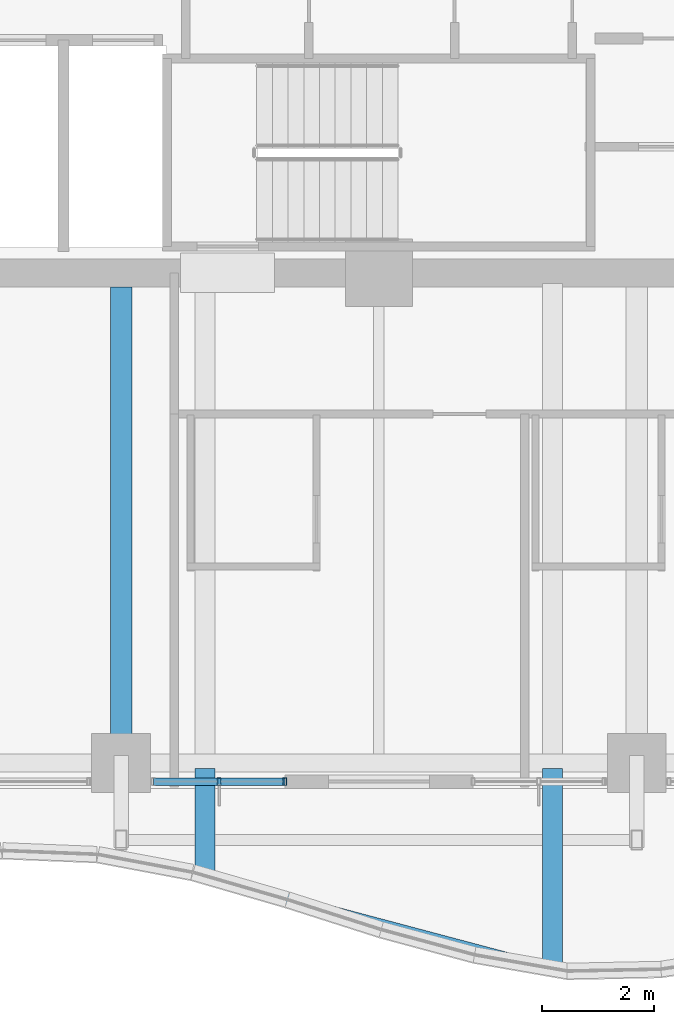
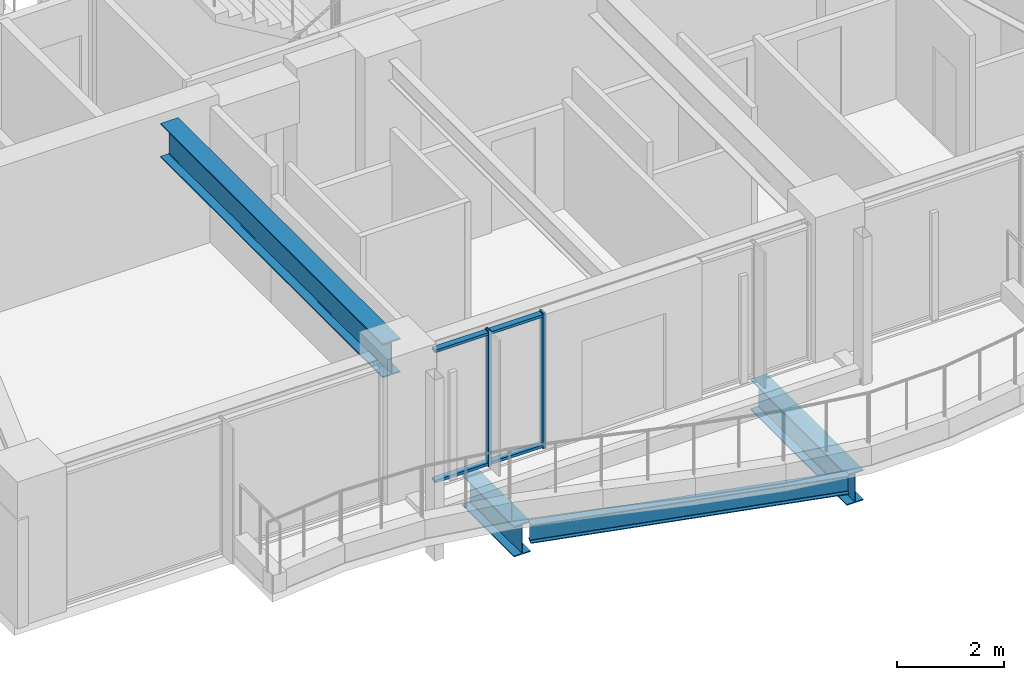
# One storey, part 4 of 34: 4 beams, 4 members, 1 element without a shape of its own.
"""IFC4 building model written with IfcOpenShell, lengths in metres."""

from ifc_helpers import new_model, si_unit, direction, frame, origin, origin_2d, place, context, subcontext, project, spatial, hollow_rectangle, i_section, extrude, material, material_profile, profile_set, type_object, element, aggregate, save


model = new_model("IFC4")

# Units and contexts
model_context = context("Model", 3, precision=1e-05, world=origin(), true_north=direction((0.0, 1.0)))
body_context = subcontext(model_context, "Body", "Model", "MODEL_VIEW")
ifc_project = project(units=[si_unit("LENGTHUNIT", "METRE"), si_unit("AREAUNIT", "SQUARE_METRE"), si_unit("VOLUMEUNIT", "CUBIC_METRE"), si_unit("PLANEANGLEUNIT", "RADIAN"), si_unit("MASSUNIT", "GRAM", prefix="KILO")], contexts=[model_context])

# Site, building, storey
site_placement = place(None, origin())
site = spatial("IfcSite", under=ifc_project, at=site_placement, CompositionType="ELEMENT")
building_placement = place(site_placement, origin())
building = spatial("IfcBuilding", under=site, at=building_placement, Name="Kolvaren Belvedere", CompositionType="ELEMENT")
storey_placement = place(building_placement, frame((0.0, 0.0, 111.800048828125)))
storey = spatial("IfcBuildingStorey", under=building, at=storey_placement, Name="L32", CompositionType="ELEMENT", Elevation=111.800048828125)

# Beams
ifc_material_1 = material(Name="Structural steel ASTM A992 Grade 50", Category="steel")
ifc_material_profile_1 = material_profile(ifc_material_1, i_section(OverallWidth=0.35498046875, OverallDepth=0.696044921875, WebThickness=0.015380859375, FlangeThickness=0.02490234375, FilletRadius=0.02197265625, at=origin_2d()), Name="W27X146")
ifc_profile_set_1 = profile_set([ifc_material_profile_1], Name="Structural steel ASTM A992 Grade 50")
beam_type_1 = type_object("IfcBeamType", Name="BM-CANT-BAL", PredefinedType="BEAM", material=ifc_profile_set_1)
beam_1_placement = place(storey_placement, frame((-3.10009765625, -18.7451171875, -0.568115234375), z_axis=(0.0, -1.0, 0.0), x_axis=(1.0, 0.0, 0.0)))
element("IfcBeam", 1, at=beam_1_placement, inside=storey, type_object=beam_type_1, Name="L32 Planted Balcony Cantilever BAL-S-1", PredefinedType="BEAM", context=body_context, shape_type="SweptSolid", body=[
    extrude(i_section(OverallWidth=0.35498046875, OverallDepth=0.696044921875, WebThickness=0.015380859375, FlangeThickness=0.02490234375, FilletRadius=0.02197265625, at=origin_2d()), origin(), (0.0, 0.0, 1.0), 1.941650390625),
])
beam_2_placement = place(storey_placement, frame((3.10009765625, -18.7451171875, -0.568115234375), z_axis=(0.0, -1.0, 0.0), x_axis=(1.0, 0.0, 0.0)))
element("IfcBeam", 2, at=beam_2_placement, inside=storey, type_object=beam_type_1, Name="L32 Planted Balcony Cantilever BAL-S-2", PredefinedType="BEAM", context=body_context, shape_type="SweptSolid", body=[
    extrude(i_section(OverallWidth=0.35498046875, OverallDepth=0.696044921875, WebThickness=0.015380859375, FlangeThickness=0.02490234375, FilletRadius=0.02197265625, at=origin_2d()), origin(), (0.0, 0.0, 1.0), 3.589599609375),
])
ifc_material_2 = material(Name="Structural steel ASTM A992 Grade 50", Category="steel")
ifc_material_profile_2 = material_profile(ifc_material_2, i_section(OverallWidth=0.180908203125, OverallDepth=0.4169921875, WebThickness=0.010986328125, FlangeThickness=0.018310546875, FilletRadius=0.013916015625, at=origin_2d()), Name="W16X57")
ifc_profile_set_2 = profile_set([ifc_material_profile_2], Name="Structural steel ASTM A992 Grade 50")
beam_type_2 = type_object("IfcBeamType", Name="BM-EDGE-W16X57", PredefinedType="BEAM", material=ifc_profile_set_2)
beam_3_placement = place(storey_placement, frame((-2.964599609375, -20.722900390625, -0.428466796875), z_axis=(0.966455190353, -0.25683528776, 0.0), x_axis=(0.25683528776, 0.966455190353, 0.0)))
element("IfcBeam", 3, at=beam_3_placement, inside=storey, type_object=beam_type_2, Name="L32 Balcony Tip Header Beam BAL-S", PredefinedType="BEAM", context=body_context, shape_type="SweptSolid", body=[
    extrude(i_section(OverallWidth=0.180908203125, OverallDepth=0.4169921875, WebThickness=0.010986328125, FlangeThickness=0.018310546875, FilletRadius=0.013916015625, at=origin_2d()), origin(), (0.0, 0.0, 1.0), 6.135009765625),
])
ifc_material_3 = material(Name="Structural steel ASTM A992 Grade 50", Category="steel")
ifc_material_profile_3 = material_profile(ifc_material_3, i_section(OverallWidth=0.381103515625, OverallDepth=0.77294921875, WebThickness=0.0166015625, FlangeThickness=0.027099609375, FilletRadius=0.02392578125, at=origin_2d()), Name="W30X173")
ifc_profile_set_3 = profile_set([ifc_material_profile_3], Name="Structural steel ASTM A992 Grade 50")
beam_type_3 = type_object("IfcBeamType", Name="BM-GIRD-W30X173", PredefinedType="BEAM", material=ifc_profile_set_3)
beam_4_placement = place(storey_placement, frame((-4.60009765625, -10.14990234375, 2.693359375), z_axis=(0.0, -1.0, 0.0), x_axis=(1.0, 0.0, 0.0)))
element("IfcBeam", 4, at=beam_4_placement, inside=storey, type_object=beam_type_3, Name="L32 South Radial Girder M", PredefinedType="BEAM", context=body_context, shape_type="SweptSolid", body=[
    extrude(i_section(OverallWidth=0.381103515625, OverallDepth=0.77294921875, WebThickness=0.0166015625, FlangeThickness=0.027099609375, FilletRadius=0.02392578125, at=origin_2d()), origin(), (0.0, 0.0, 1.0), 8.263916015625),
])

# Curtain wall, members
ifc_material_4 = material(Name="Anodised pale-metal aluminium AA 6063-T6", Category="aluminium")
curtain_wall_type = type_object("IfcCurtainWallType", Name="CW-Z3-WAIST", PredefinedType="NOTDEFINED", material=ifc_material_4)
curtain_wall_placement = place(storey_placement, origin())
curtain_wall = element("IfcCurtainWall", 5, at=curtain_wall_placement, inside=storey, type_object=curtain_wall_type, Name="L32 Unitised Curtain Wall FCW-L32-S2-B1", PredefinedType="NOTDEFINED")
ifc_material_5 = material(Name="Anodised pale-metal aluminium AA 6063-T6", Category="aluminium")
ifc_material_profile_4 = material_profile(ifc_material_5, hollow_rectangle(XDim=0.06494140625, YDim=0.1298828125, WallThickness=0.00390625, at=origin_2d()), Name="ALU-MUL-130X65")
ifc_profile_set_4 = profile_set([ifc_material_profile_4], Name="Anodised pale-metal aluminium AA 6063-T6")
member_type_1 = type_object("IfcMemberType", Name="CW-MUL-130", PredefinedType="MULLION", material=ifc_profile_set_4)
member_1_placement = place(storey_placement, frame((-1.679931640625, -18.97998046875, 0.0), z_axis=(0.0, 0.0, 1.0), x_axis=(1.0, 0.0, 0.0)))
member_1 = element("IfcMember", 6, at=member_1_placement, type_object=member_type_1, Name="FCW-L32-S2-B1 Unitised Mullion 1", PredefinedType="MULLION", context=body_context, shape_type="SweptSolid", body=[
    extrude(hollow_rectangle(XDim=0.06494140625, YDim=0.1298828125, WallThickness=0.00390625, at=origin_2d()), origin(), (0.0, 0.0, 1.0), 3.079833984375),
])
member_2_placement = place(storey_placement, frame((-2.851318359375, -18.97998046875, 0.0), z_axis=(0.0, 0.0, 1.0), x_axis=(1.0, 0.0, 0.0)))
member_2 = element("IfcMember", 7, at=member_2_placement, type_object=member_type_1, Name="FCW-L32-S2-B1 Unitised Mullion 2", PredefinedType="MULLION", context=body_context, shape_type="SweptSolid", body=[
    extrude(hollow_rectangle(XDim=0.06494140625, YDim=0.1298828125, WallThickness=0.00390625, at=origin_2d()), origin(), (0.0, 0.0, 1.0), 3.079833984375),
])
ifc_material_6 = material(Name="Anodised pale-metal aluminium AA 6063-T6", Category="aluminium")
ifc_material_profile_5 = material_profile(ifc_material_6, hollow_rectangle(XDim=0.06005859375, YDim=0.1298828125, WallThickness=0.00390625, at=origin_2d()), Name="ALU-TRN-130X60")
ifc_profile_set_5 = profile_set([ifc_material_profile_5], Name="Anodised pale-metal aluminium AA 6063-T6")
member_type_2 = type_object("IfcMemberType", Name="CW-TRN-130", PredefinedType="USERDEFINED", material=ifc_profile_set_5)
member_3_placement = place(storey_placement, frame((-1.679931640625, -18.97998046875, 0.06005859375), z_axis=(-1.0, 0.0, 0.0), x_axis=(0.0, 0.0, 1.0)))
member_3 = element("IfcMember", 8, at=member_3_placement, type_object=member_type_2, Name="FCW-L32-S2-B1 Sill Transom", ObjectType="TRANSOM", PredefinedType="USERDEFINED", context=body_context, shape_type="SweptSolid", body=[
    extrude(hollow_rectangle(XDim=0.06005859375, YDim=0.1298828125, WallThickness=0.00390625, at=origin_2d()), origin(), (0.0, 0.0, 1.0), 2.342529296875),
])
member_4_placement = place(storey_placement, frame((-1.679931640625, -18.97998046875, 3.02001953125), z_axis=(-1.0, 0.0, 0.0), x_axis=(0.0, 0.0, 1.0)))
member_4 = element("IfcMember", 9, at=member_4_placement, type_object=member_type_2, Name="FCW-L32-S2-B1 Head Transom", ObjectType="TRANSOM", PredefinedType="USERDEFINED", context=body_context, shape_type="SweptSolid", body=[
    extrude(hollow_rectangle(XDim=0.06005859375, YDim=0.1298828125, WallThickness=0.00390625, at=origin_2d()), origin(), (0.0, 0.0, 1.0), 2.342529296875),
])
aggregate(curtain_wall, [member_1, member_2, member_3, member_4])

save(model, "model.ifc")
